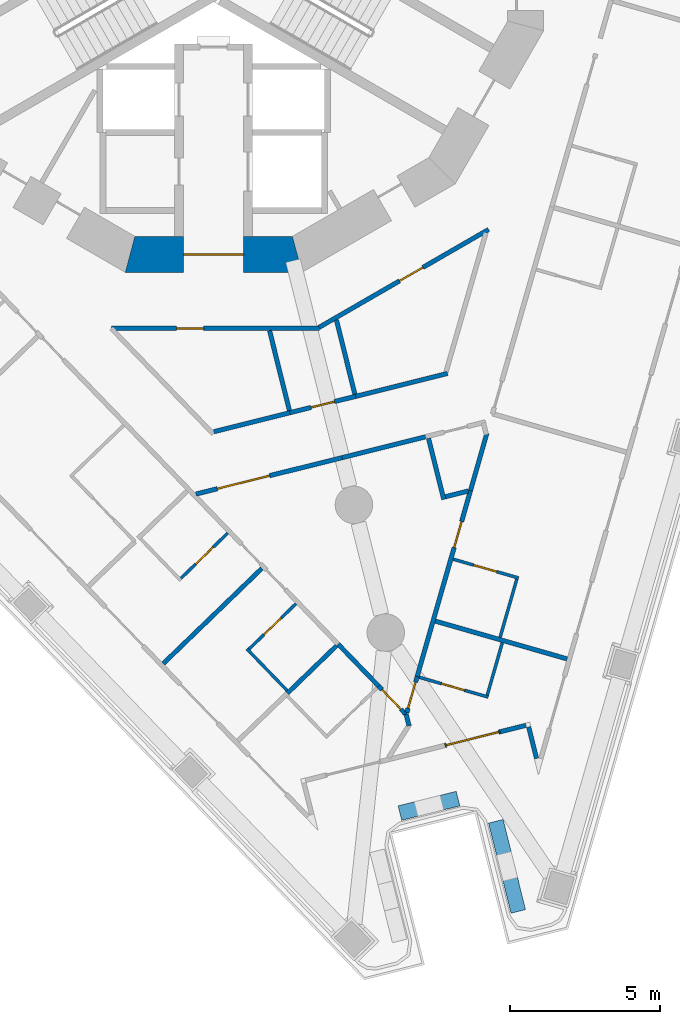
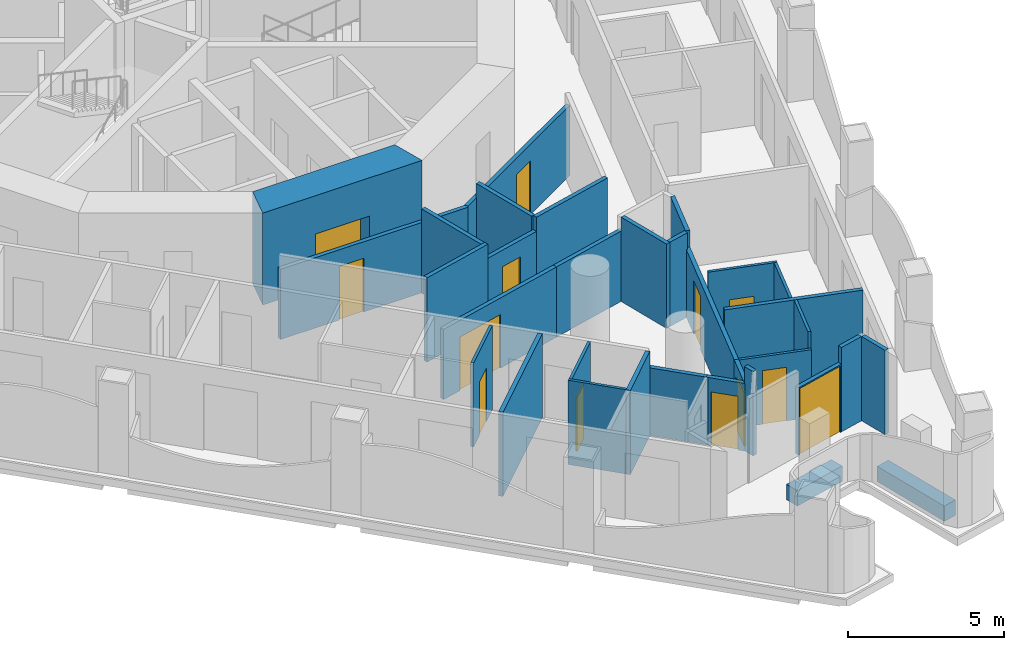
# One storey, part 4 of 20: 33 walls, 13 doors, 13 openings.
"""IFC4 building model written with IfcOpenShell, lengths in metres."""

from ifc_helpers import new_model, si_unit, direction, frame, frame_2d, origin, place, context, subcontext, project, spatial, polyline, rectangle, outline, extrude, material, layer, layer_set, type_object, element, fill, save


model = new_model("IFC4")

# Units and contexts
model_context = context("Model", 3, precision=1e-05, world=origin(), true_north=direction((0.0, 1.0)))
body_context = subcontext(model_context, "Body", "Model", "MODEL_VIEW")
ifc_project = project(units=[si_unit("LENGTHUNIT", "METRE"), si_unit("AREAUNIT", "SQUARE_METRE"), si_unit("VOLUMEUNIT", "CUBIC_METRE"), si_unit("PLANEANGLEUNIT", "RADIAN"), si_unit("MASSUNIT", "GRAM", prefix="KILO")], contexts=[model_context])

# Site, building, storey
site_placement = place(None, origin())
site = spatial("IfcSite", under=ifc_project, at=site_placement, CompositionType="ELEMENT")
building_placement = place(site_placement, origin())
building = spatial("IfcBuilding", under=site, at=building_placement, Name="Trine Commons Tower", CompositionType="ELEMENT")
storey_placement = place(building_placement, frame((0.0, 0.0, 112.5)))
storey = spatial("IfcBuildingStorey", under=building, at=storey_placement, Name="L28", CompositionType="ELEMENT", Elevation=112.5)

# Walls
ifc_material_1 = material(Name="Aluminium-framed insulated wall panel", Category="aluminium")
ifc_layer_1 = layer(ifc_material_1, 0.14990234375)
ifc_layer_set_1 = layer_set([ifc_layer_1], Name="Aluminium-framed insulated wall panel")
wall_type_1 = type_object("IfcWallType", Name="Glazed frame wall 150, EI 60", PredefinedType="SOLIDWALL", material=ifc_layer_set_1)
wall_1_placement = place(storey_placement, frame((90.810302734375, 35.118896484375, 0.0), z_axis=(0.0, 0.0, 1.0), x_axis=(-0.241937701072, 0.970291785393, 0.0)))
element("IfcWall", 1, at=wall_1_placement, inside=storey, type_object=wall_type_1, Name="Glazed frame wall R9", PredefinedType="SOLIDWALL", context=body_context, shape_type="SweptSolid", body=[
    extrude(outline(polyline([(0.1494140625, 0.074951171875), (0.1494140625, -0.074951171875), (1.235107421875, -0.074951171875), (1.235107421875, 0.074951171875), (0.1494140625, 0.074951171875)])), origin(), (0.0, 0.0, 1.0), 3.300048828125),
])
wall_2_placement = place(storey_placement, frame((90.527099609375, 36.398681640625, 0.0), z_axis=(0.0, 0.0, 1.0), x_axis=(-0.970285952705, -0.24196109188, 0.0)))
element("IfcWall", 2, at=wall_2_placement, inside=storey, type_object=wall_type_1, Name="Glazed frame wall P3.1", PredefinedType="SOLIDWALL", context=body_context, shape_type="SweptSolid", body=[
    extrude(outline(polyline([(0.110107421875, -0.074951171875), (1.0, -0.074951171875), (1.0, 0.074951171875), (0.110107421875, 0.074951171875), (0.110107421875, -0.074951171875)])), origin(), (0.0, 0.0, 1.0), 3.300048828125),
])

# Wall, opening, door
wall_3_placement = place(storey_placement, frame((89.556884765625, 36.15673828125, 0.0), z_axis=(0.0, 0.0, 1.0), x_axis=(-0.970285945114, -0.241961122321, 0.0)))
wall_3 = element("IfcWall", 3, at=wall_3_placement, inside=storey, type_object=wall_type_1, Name="Glazed frame wall P3.2", PredefinedType="SOLIDWALL", context=body_context, shape_type="SweptSolid", body=[
    extrude(outline(polyline([(0.0, -0.074951171875), (1.89990234375, -0.074951171875), (1.89990234375, 0.074951171875), (0.0, 0.074951171875), (0.0, -0.074951171875)])), origin(), (0.0, 0.0, 1.0), 2.64990234375),
])
opening_1_placement = place(wall_3_placement, frame((0.050048828125, 0.0, 0.0)))
opening_1 = element("IfcOpeningElement", 4, at=opening_1_placement, cuts=wall_3, Name="Opening BD-3P3-01", PredefinedType="OPENING", context=body_context, shape_type="SweptSolid", body=[
    extrude(rectangle(XDim=1.800048828125, YDim=2.60009765625, at=frame_2d((0.89990234375, 1.300048828125))), frame((0.0, 0.0849609375, 0.0), z_axis=(0.0, -1.0, 0.0), x_axis=(1.0, 0.0, 0.0)), (0.0, 0.0, 1.0), 0.169921875),
])
ifc_material_2 = material(Name="Anodised aluminium frame with double glazing", Category="aluminium")
door_type_1 = type_object("IfcDoorType", Name="Sliding loggia door 1800x2600", OperationType="SLIDING_TO_LEFT", PredefinedType="DOOR", material=ifc_material_2)
door_1_placement = place(opening_1_placement, origin())
door_1 = element("IfcDoor", 5, at=door_1_placement, inside=storey, type_object=door_type_1, Name="Loggia door P3 1", OperationType="SLIDING_TO_LEFT", OverallHeight=2.60009765625, OverallWidth=1.800048828125, PredefinedType="DOOR", context=body_context, shape_type="SweptSolid", body=[
    extrude(rectangle(XDim=1.800048828125, YDim=2.60009765625, at=frame_2d((0.89990234375, 1.300048828125))), frame((0.0, 0.02490234375, 0.0), z_axis=(0.0, -1.0, 0.0), x_axis=(1.0, 0.0, 0.0)), (0.0, 0.0, 1.0), 0.050048828125),
])
fill(opening_1, door_1)

# Walls
ifc_material_3 = material(Name="Planter trough, precast concrete C40/50", Category="concrete")
ifc_layer_2 = layer(ifc_material_3, 0.5)
ifc_layer_set_2 = layer_set([ifc_layer_2], Name="Planter trough, precast concrete C40/50")
wall_type_2 = type_object("IfcWallType", Name="Planter trough 500x600", PredefinedType="PARAPET", material=ifc_layer_set_2)
wall_4_placement = place(storey_placement, frame((90.16552734375, 30.160888671875, 0.0), z_axis=(0.0, 0.0, 1.0), x_axis=(-0.2419425832, 0.970290568044, 0.0)))
element("IfcWall", 6, at=wall_4_placement, inside=storey, type_object=wall_type_2, Name="Planter 7", PredefinedType="PARAPET", context=body_context, shape_type="SweptSolid", body=[
    extrude(rectangle(XDim=3.099853515625, YDim=0.5, at=frame_2d((1.5498046875, 0.0))), origin(), (0.0, 0.0, 1.0), 0.60009765625),
])
wall_5_placement = place(storey_placement, frame((88.15478515625, 33.92626953125, 0.0), z_axis=(0.0, 0.0, 1.0), x_axis=(-0.970285952705, -0.24196109188, 0.0)))
element("IfcWall", 7, at=wall_5_placement, inside=storey, type_object=wall_type_2, Name="Planter 8", PredefinedType="PARAPET", context=body_context, shape_type="SweptSolid", body=[
    extrude(rectangle(XDim=1.999755859375, YDim=0.5, at=frame_2d((1.0, 0.0))), origin(), (0.0, 0.0, 1.0), 0.60009765625),
])

# Wall, opening, door
ifc_material_4 = material(Name="Concrete C70/85", Category="concrete")
ifc_layer_3 = layer(ifc_material_4, 1.199951171875)
ifc_layer_set_3 = layer_set([ifc_layer_3], Name="Concrete C70/85")
wall_type_3 = type_object("IfcWallType", Name="RC shear wall 1200 mm, C70/85", PredefinedType="SHEAR", material=ifc_layer_set_3)
wall_6_placement = place(storey_placement, frame((77.049560546875, 52.08837890625, 0.0), z_axis=(0.0, 0.0, 1.0), x_axis=(1.0, 0.0, 0.0)))
wall_6 = element("IfcWall", 8, at=wall_6_placement, inside=storey, type_object=wall_type_3, Name="Core wall CWC-10 L28", PredefinedType="SHEAR", context=body_context, shape_type="SweptSolid", body=[
    extrude(outline(polyline([(0.0, -0.60009765625), (5.90087890625, -0.60009765625), (5.57958984375, 0.60009765625), (0.321533203125, 0.60009765625), (0.0, -0.60009765625)])), origin(), (0.0, 0.0, 1.0), 3.60009765625),
])
opening_2_placement = place(wall_6_placement, frame((1.950439453125, 0.0, 0.0)))
opening_2 = element("IfcOpeningElement", 9, at=opening_2_placement, cuts=wall_6, Name="Opening K07.08", PredefinedType="OPENING", context=body_context, shape_type="SweptSolid", body=[
    extrude(rectangle(XDim=2.0, YDim=2.10009765625, at=frame_2d((1.0, 1.050048828125))), frame((0.0, 0.60986328125, 0.0), z_axis=(0.0, -1.0, 0.0), x_axis=(1.0, 0.0, 0.0)), (0.0, 0.0, 1.0), 1.219970703125),
])
ifc_material_5 = material(Name="Steel door leaves, fire-rated", Category="steel")
door_type_2 = type_object("IfcDoorType", Name="Lobby door, double leaf 2000 x 2100, FD60", OperationType="DOUBLE_DOOR_SINGLE_SWING", PredefinedType="DOOR", material=ifc_material_5)
door_2_placement = place(opening_2_placement, origin())
door_2 = element("IfcDoor", 10, at=door_2_placement, inside=storey, type_object=door_type_2, Name="Lobby door, Service and firefighting lobby L28", OperationType="DOUBLE_DOOR_SINGLE_SWING", OverallHeight=2.10009765625, OverallWidth=2.0, PredefinedType="DOOR", context=body_context, shape_type="SweptSolid", body=[
    extrude(rectangle(XDim=2.0, YDim=2.10009765625, at=frame_2d((1.0, 1.050048828125))), frame((0.0, 0.02490234375, 0.0), z_axis=(0.0, -1.0, 0.0), x_axis=(1.0, 0.0, 0.0)), (0.0, 0.0, 1.0), 0.050048828125),
])
fill(opening_2, door_2)

ifc_material_6 = material(Name="Gypsum plasterboard on steel stud", Category="steel")
ifc_layer_4 = layer(ifc_material_6, 0.14990234375)
ifc_layer_set_4 = layer_set([ifc_layer_4], Name="Gypsum plasterboard on steel stud")
wall_type_4 = type_object("IfcWallType", Name="Unit and corridor wall 150 mm, EI 60", PredefinedType="PARTITIONING", material=ifc_layer_set_4)
wall_7_placement = place(storey_placement, frame((76.583984375, 49.613037109375, 0.0), z_axis=(0.0, 0.0, 1.0), x_axis=(1.0, 0.0, 0.0)))
wall_7 = element("IfcWall", 11, at=wall_7_placement, inside=storey, type_object=wall_type_4, Name="Partition 060", PredefinedType="PARTITIONING", context=body_context, shape_type="SweptSolid", body=[
    extrude(rectangle(XDim=6.944091796875, YDim=0.14990234375, at=frame_2d((3.47216796875, 0.0))), origin(), (0.0, 0.0, 1.0), 2.75),
])
opening_3_placement = place(wall_7_placement, frame((2.18359375, 0.0, 0.0)))
opening_3 = element("IfcOpeningElement", 12, at=opening_3_placement, cuts=wall_7, Name="Opening D-3C38", PredefinedType="OPENING", context=body_context, shape_type="SweptSolid", body=[
    extrude(rectangle(XDim=0.89990234375, YDim=2.10009765625, at=frame_2d((0.449951171875, 1.050048828125))), frame((0.0, 0.0849609375, 0.0), z_axis=(0.0, -1.0, 0.0), x_axis=(1.0, 0.0, 0.0)), (0.0, 0.0, 1.0), 0.169921875),
])
ifc_material_7 = material(Name="Timber fire door set", Category="wood")
door_type_3 = type_object("IfcDoorType", Name="Service door 900 x 2100, FD30S", OperationType="NOTDEFINED", PredefinedType="DOOR", material=ifc_material_7)
door_3_placement = place(opening_3_placement, frame((0.89990234375, 0.0, 0.0), z_axis=(0.0, 0.0, 1.0), x_axis=(-1.0, 0.0, 0.0)))
door_3 = element("IfcDoor", 13, at=door_3_placement, inside=storey, type_object=door_type_3, Name="Door D-3C38", OperationType="SINGLE_SWING_RIGHT", OverallHeight=2.10009765625, OverallWidth=0.89990234375, PredefinedType="DOOR", context=body_context, shape_type="SweptSolid", body=[
    extrude(rectangle(XDim=0.89990234375, YDim=2.10009765625, at=frame_2d((0.449951171875, 1.050048828125))), frame((0.0, 0.02490234375, 0.0), z_axis=(0.0, -1.0, 0.0), x_axis=(1.0, 0.0, 0.0)), (0.0, 0.0, 1.0), 0.050048828125),
])
fill(opening_3, door_3)

# Wall
wall_8_placement = place(storey_placement, frame((78.31982421875, 38.430908203125, 0.0), z_axis=(0.0, 0.0, 1.0), x_axis=(0.719360056376, 0.694637394106, 0.0)))
element("IfcWall", 14, at=wall_8_placement, inside=storey, type_object=wall_type_4, Name="Partition 066", PredefinedType="PARTITIONING", context=body_context, shape_type="SweptSolid", body=[
    extrude(rectangle(XDim=4.572265625, YDim=0.14990234375, at=frame_2d((2.2861328125, 0.0))), origin(), (0.0, 0.0, 1.0), 3.300048828125),
])

# Wall, opening, door
wall_9_placement = place(storey_placement, frame((79.40869140625, 44.087158203125, 0.0), z_axis=(0.0, 0.0, 1.0), x_axis=(0.970285120957, 0.241964427241, 0.0)))
wall_9 = element("IfcWall", 15, at=wall_9_placement, inside=storey, type_object=wall_type_4, Name="Partition 069", PredefinedType="PARTITIONING", context=body_context, shape_type="SweptSolid", body=[
    extrude(rectangle(XDim=5.02880859375, YDim=0.14990234375, at=frame_2d((2.514404296875, 0.0))), origin(), (0.0, 0.0, 1.0), 2.75),
])
opening_4_placement = place(wall_9_placement, frame((0.735595703125, 0.0, 0.0)))
opening_4 = element("IfcOpeningElement", 16, at=opening_4_placement, cuts=wall_9, Name="Opening D-3C02", PredefinedType="OPENING", context=body_context, shape_type="SweptSolid", body=[
    extrude(rectangle(XDim=1.800048828125, YDim=2.10009765625, at=frame_2d((0.89990234375, 1.050048828125))), frame((0.0, 0.0849609375, 0.0), z_axis=(0.0, -1.0, 0.0), x_axis=(1.0, 0.0, 0.0)), (0.0, 0.0, 1.0), 0.169921875),
])
door_type_4 = type_object("IfcDoorType", Name="Cluster entrance door 1800 x 2100, double leaf, FD30S", OperationType="DOUBLE_DOOR_DOUBLE_SWING", PredefinedType="DOOR", material=ifc_material_7)
door_4_placement = place(opening_4_placement, frame((1.800048828125, 0.0, 0.0), z_axis=(0.0, 0.0, 1.0), x_axis=(-1.0, 0.0, 0.0)))
door_4 = element("IfcDoor", 17, at=door_4_placement, inside=storey, type_object=door_type_4, Name="Door D-3C02", OperationType="DOUBLE_DOOR_DOUBLE_SWING", OverallHeight=2.10009765625, OverallWidth=1.800048828125, PredefinedType="DOOR", context=body_context, shape_type="SweptSolid", body=[
    extrude(rectangle(XDim=1.800048828125, YDim=2.10009765625, at=frame_2d((0.89990234375, 1.050048828125))), frame((0.0, 0.02490234375, 0.0), z_axis=(0.0, -1.0, 0.0), x_axis=(1.0, 0.0, 0.0)), (0.0, 0.0, 1.0), 0.050048828125),
])
fill(opening_4, door_4)

# Walls
wall_10_placement = place(storey_placement, frame((80.005859375, 46.168212890625, 0.0), z_axis=(0.0, 0.0, 1.0), x_axis=(0.970307222534, 0.241875781957, 0.0)))
element("IfcWall", 18, at=wall_10_placement, inside=storey, type_object=wall_type_4, Name="Partition 070", PredefinedType="PARTITIONING", context=body_context, shape_type="SweptSolid", body=[
    extrude(rectangle(XDim=2.698974609375, YDim=0.14990234375, at=frame_2d((1.349609375, 0.0))), origin(), (0.0, 0.0, 1.0), 3.300048828125),
])
wall_11_placement = place(storey_placement, frame((81.864990234375, 49.540283203125, 0.0), z_axis=(0.0, 0.0, 1.0), x_axis=(0.24199191412, -0.970278266015, 0.0)))
element("IfcWall", 19, at=wall_11_placement, inside=storey, type_object=wall_type_4, Name="Partition 077", PredefinedType="PARTITIONING", context=body_context, shape_type="SweptSolid", body=[
    extrude(rectangle(XDim=2.7470703125, YDim=0.14990234375, at=frame_2d((1.37353515625, 0.0))), origin(), (0.0, 0.0, 1.0), 3.300048828125),
])
wall_12_placement = place(storey_placement, frame((82.4619140625, 37.4423828125, 0.0), z_axis=(0.0, 0.0, 1.0), x_axis=(0.719213164188, 0.694789482116, 0.0)))
element("IfcWall", 20, at=wall_12_placement, inside=storey, type_object=wall_type_4, Name="Partition 079", PredefinedType="PARTITIONING", context=body_context, shape_type="SweptSolid", body=[
    extrude(rectangle(XDim=2.279052734375, YDim=0.14990234375, at=frame_2d((1.1396484375, 0.0))), origin(), (0.0, 0.0, 1.0), 3.300048828125),
])

# Wall, opening, door
wall_13_placement = place(storey_placement, frame((82.5439453125, 46.801025390625, 0.0), z_axis=(0.0, 0.0, 1.0), x_axis=(0.970237811433, 0.242154061015, 0.0)))
wall_13 = element("IfcWall", 21, at=wall_13_placement, inside=storey, type_object=wall_type_4, Name="Partition 080", PredefinedType="PARTITIONING", context=body_context, shape_type="SweptSolid", body=[
    extrude(rectangle(XDim=2.25830078125, YDim=0.14990234375, at=frame_2d((1.129150390625, 0.0))), origin(), (0.0, 0.0, 1.0), 2.75),
])
opening_5_placement = place(wall_13_placement, frame((0.72900390625, 0.0, 0.0)))
opening_5 = element("IfcOpeningElement", 22, at=opening_5_placement, cuts=wall_13, Name="Opening D-3C41", PredefinedType="OPENING", context=body_context, shape_type="SweptSolid", body=[
    extrude(rectangle(XDim=0.800048828125, YDim=2.10009765625, at=frame_2d((0.39990234375, 1.050048828125))), frame((0.0, 0.0849609375, 0.0), z_axis=(0.0, -1.0, 0.0), x_axis=(1.0, 0.0, 0.0)), (0.0, 0.0, 1.0), 0.169921875),
])
ifc_material_8 = material(Name="Painted timber", Category="wood")
door_type_5 = type_object("IfcDoorType", Name="Toilet door 800 x 2100, NOT RATED", OperationType="NOTDEFINED", PredefinedType="DOOR", material=ifc_material_8)
door_5_placement = place(opening_5_placement, origin())
door_5 = element("IfcDoor", 23, at=door_5_placement, inside=storey, type_object=door_type_5, Name="Door D-3C41", OperationType="SINGLE_SWING_RIGHT", OverallHeight=2.10009765625, OverallWidth=0.800048828125, PredefinedType="DOOR", context=body_context, shape_type="SweptSolid", body=[
    extrude(rectangle(XDim=0.800048828125, YDim=2.10009765625, at=frame_2d((0.39990234375, 1.050048828125))), frame((0.0, 0.02490234375, 0.0), z_axis=(0.0, -1.0, 0.0), x_axis=(1.0, 0.0, 0.0)), (0.0, 0.0, 1.0), 0.050048828125),
])
fill(opening_5, door_5)

wall_14_placement = place(storey_placement, frame((83.51806640625, 49.650390625, 0.0), z_axis=(0.0, 0.0, 1.0), x_axis=(0.866021893259, 0.50000608036, 0.0)))
wall_14 = element("IfcWall", 24, at=wall_14_placement, inside=storey, type_object=wall_type_4, Name="Partition 081", PredefinedType="PARTITIONING", context=body_context, shape_type="SweptSolid", body=[
    extrude(rectangle(XDim=6.5322265625, YDim=0.14990234375, at=frame_2d((3.26611328125, 0.0))), origin(), (0.0, 0.0, 1.0), 2.75),
])
opening_6_placement = place(wall_14_placement, frame((3.09912109375, 0.0, 0.0)))
opening_6 = element("IfcOpeningElement", 25, at=opening_6_placement, cuts=wall_14, Name="Opening D-3C36", PredefinedType="OPENING", context=body_context, shape_type="SweptSolid", body=[
    extrude(rectangle(XDim=0.89990234375, YDim=2.10009765625, at=frame_2d((0.449951171875, 1.050048828125))), frame((0.0, 0.0849609375, 0.0), z_axis=(0.0, -1.0, 0.0), x_axis=(1.0, 0.0, 0.0)), (0.0, 0.0, 1.0), 0.169921875),
])
door_6_placement = place(opening_6_placement, frame((0.89990234375, 0.0, 0.0), z_axis=(0.0, 0.0, 1.0), x_axis=(-1.0, 0.0, 0.0)))
door_6 = element("IfcDoor", 26, at=door_6_placement, inside=storey, type_object=door_type_3, Name="Door D-3C36", OperationType="SINGLE_SWING_LEFT", OverallHeight=2.10009765625, OverallWidth=0.89990234375, PredefinedType="DOOR", context=body_context, shape_type="SweptSolid", body=[
    extrude(rectangle(XDim=0.89990234375, YDim=2.10009765625, at=frame_2d((0.449951171875, 1.050048828125))), frame((0.0, 0.02490234375, 0.0), z_axis=(0.0, -1.0, 0.0), x_axis=(1.0, 0.0, 0.0)), (0.0, 0.0, 1.0), 0.050048828125),
])
fill(opening_6, door_6)

# Walls
wall_15_placement = place(storey_placement, frame((84.09521484375, 49.900146484375, 0.0), z_axis=(0.0, 0.0, 1.0), x_axis=(0.241659013466, -0.970361232331, 0.0)))
element("IfcWall", 27, at=wall_15_placement, inside=storey, type_object=wall_type_4, Name="Partition 086", PredefinedType="PARTITIONING", context=body_context, shape_type="SweptSolid", body=[
    extrude(rectangle(XDim=2.555908203125, YDim=0.14990234375, at=frame_2d((1.27783203125, 0.0))), origin(), (0.0, 0.0, 1.0), 3.300048828125),
])
wall_16_placement = place(storey_placement, frame((84.155029296875, 39.077880859375, 0.0), z_axis=(0.0, 0.0, 1.0), x_axis=(0.694942316006, -0.719065488967, 0.0)))
element("IfcWall", 28, at=wall_16_placement, inside=storey, type_object=wall_type_4, Name="Partition 088", PredefinedType="PARTITIONING", context=body_context, shape_type="SweptSolid", body=[
    extrude(rectangle(XDim=2.00390625, YDim=0.14990234375, at=frame_2d((1.001953125, 0.0))), origin(), (0.0, 0.0, 1.0), 2.64990234375),
])
wall_17_placement = place(storey_placement, frame((84.2880859375, 45.303955078125, 0.0), z_axis=(0.0, 0.0, 1.0), x_axis=(0.970312264522, 0.241855554658, 0.0)))
element("IfcWall", 29, at=wall_17_placement, inside=storey, type_object=wall_type_4, Name="Partition 089", PredefinedType="PARTITIONING", context=body_context, shape_type="SweptSolid", body=[
    extrude(rectangle(XDim=2.956787109375, YDim=0.14990234375, at=frame_2d((1.478515625, 0.0))), origin(), (0.0, 0.0, 1.0), 2.75),
])
wall_18_placement = place(storey_placement, frame((84.72705078125, 47.345947265625, 0.0), z_axis=(0.0, 0.0, 1.0), x_axis=(0.970300600618, 0.241902344841, 0.0)))
element("IfcWall", 30, at=wall_18_placement, inside=storey, type_object=wall_type_4, Name="Partition 090", PredefinedType="PARTITIONING", context=body_context, shape_type="SweptSolid", body=[
    extrude(rectangle(XDim=3.175048828125, YDim=0.14990234375, at=frame_2d((1.58740234375, 0.0))), origin(), (0.0, 0.0, 1.0), 3.300048828125),
])

# Wall, opening, door
wall_19_placement = place(storey_placement, frame((85.508056640625, 37.677978515625, 0.0), z_axis=(0.0, 0.0, 1.0), x_axis=(0.694528581719, -0.719465113244, 0.0)))
wall_19 = element("IfcWall", 31, at=wall_19_placement, inside=storey, type_object=wall_type_4, Name="Partition 091", PredefinedType="PARTITIONING", context=body_context, shape_type="SweptSolid", body=[
    extrude(rectangle(XDim=1.32177734375, YDim=0.14990234375, at=frame_2d((0.660888671875, 0.0))), origin(), (0.0, 0.0, 1.0), 2.64990234375),
])
opening_7_placement = place(wall_19_placement, frame((0.165283203125, 0.0, 0.0)))
opening_7 = element("IfcOpeningElement", 32, at=opening_7_placement, cuts=wall_19, Name="Opening D-3C25", PredefinedType="OPENING", context=body_context, shape_type="SweptSolid", body=[
    extrude(rectangle(XDim=0.89990234375, YDim=2.10009765625, at=frame_2d((0.449951171875, 1.050048828125))), frame((0.0, 0.0849609375, 0.0), z_axis=(0.0, -1.0, 0.0), x_axis=(1.0, 0.0, 0.0)), (0.0, 0.0, 1.0), 0.169921875),
])
door_type_6 = type_object("IfcDoorType", Name="Bedroom door 900 x 2100, FD30S", OperationType="NOTDEFINED", PredefinedType="DOOR", material=ifc_material_7)
door_7_placement = place(opening_7_placement, frame((0.89990234375, 0.0, 0.0), z_axis=(0.0, 0.0, 1.0), x_axis=(-1.0, 0.0, 0.0)))
door_7 = element("IfcDoor", 33, at=door_7_placement, inside=storey, type_object=door_type_6, Name="Door D-3C25", OperationType="SINGLE_SWING_RIGHT", OverallHeight=2.10009765625, OverallWidth=0.89990234375, PredefinedType="DOOR", context=body_context, shape_type="SweptSolid", body=[
    extrude(rectangle(XDim=0.89990234375, YDim=2.10009765625, at=frame_2d((0.449951171875, 1.050048828125))), frame((0.0, 0.02490234375, 0.0), z_axis=(0.0, -1.0, 0.0), x_axis=(1.0, 0.0, 0.0)), (0.0, 0.0, 1.0), 0.050048828125),
])
fill(opening_7, door_7)

# Wall
wall_20_placement = place(storey_placement, frame((86.422119140625, 36.7421875, 0.0), z_axis=(0.0, 0.0, 1.0), x_axis=(0.241673946692, -0.970357513234, 0.0)))
element("IfcWall", 34, at=wall_20_placement, inside=storey, type_object=wall_type_4, Name="Partition 093", PredefinedType="PARTITIONING", context=body_context, shape_type="SweptSolid", body=[
    extrude(rectangle(XDim=0.400146484375, YDim=0.14990234375, at=frame_2d((0.2001953125, 0.0))), origin(), (0.0, 0.0, 1.0), 3.300048828125),
])

# Wall, opening, door
wall_21_placement = place(storey_placement, frame((86.446533203125, 36.799072265625, 0.0), z_axis=(0.0, 0.0, 1.0), x_axis=(0.275419104485, 0.961324251689, 0.0)))
wall_21 = element("IfcWall", 35, at=wall_21_placement, inside=storey, type_object=wall_type_4, Name="Partition 094", PredefinedType="PARTITIONING", context=body_context, shape_type="SweptSolid", body=[
    extrude(rectangle(XDim=1.247314453125, YDim=0.14990234375, at=frame_2d((0.62353515625, 0.0))), origin(), (0.0, 0.0, 1.0), 2.64990234375),
])
opening_8_placement = place(wall_21_placement, frame((0.14990234375, 0.0, 0.0)))
opening_8 = element("IfcOpeningElement", 36, at=opening_8_placement, cuts=wall_21, Name="Opening D-3C24", PredefinedType="OPENING", context=body_context, shape_type="SweptSolid", body=[
    extrude(rectangle(XDim=0.89990234375, YDim=2.10009765625, at=frame_2d((0.449951171875, 1.050048828125))), frame((0.0, 0.0849609375, 0.0), z_axis=(0.0, -1.0, 0.0), x_axis=(1.0, 0.0, 0.0)), (0.0, 0.0, 1.0), 0.169921875),
])
door_8_placement = place(opening_8_placement, frame((0.89990234375, 0.0, 0.0), z_axis=(0.0, 0.0, 1.0), x_axis=(-1.0, 0.0, 0.0)))
door_8 = element("IfcDoor", 37, at=door_8_placement, inside=storey, type_object=door_type_6, Name="Door D-3C24", OperationType="SINGLE_SWING_RIGHT", OverallHeight=2.10009765625, OverallWidth=0.89990234375, PredefinedType="DOOR", context=body_context, shape_type="SweptSolid", body=[
    extrude(rectangle(XDim=0.89990234375, YDim=2.10009765625, at=frame_2d((0.449951171875, 1.050048828125))), frame((0.0, 0.02490234375, 0.0), z_axis=(0.0, -1.0, 0.0), x_axis=(1.0, 0.0, 0.0)), (0.0, 0.0, 1.0), 0.050048828125),
])
fill(opening_8, door_8)

wall_22_placement = place(storey_placement, frame((86.774169921875, 37.94189453125, 0.0), z_axis=(0.0, 0.0, 1.0), x_axis=(0.27569065488, 0.961246411079, 0.0)))
wall_22 = element("IfcWall", 38, at=wall_22_placement, inside=storey, type_object=wall_type_4, Name="Partition 095", PredefinedType="PARTITIONING", context=body_context, shape_type="SweptSolid", body=[
    extrude(rectangle(XDim=6.517822265625, YDim=0.14990234375, at=frame_2d((3.2587890625, 0.0))), origin(), (0.0, 0.0, 1.0), 2.64990234375),
])
opening_9_placement = place(wall_22_placement, frame((4.542724609375, 0.0, 0.0)))
opening_9 = element("IfcOpeningElement", 39, at=opening_9_placement, cuts=wall_22, Name="Opening D-3C23", PredefinedType="OPENING", context=body_context, shape_type="SweptSolid", body=[
    extrude(rectangle(XDim=0.89990234375, YDim=2.10009765625, at=frame_2d((0.449951171875, 1.050048828125))), frame((0.0, 0.0849609375, 0.0), z_axis=(0.0, -1.0, 0.0), x_axis=(1.0, 0.0, 0.0)), (0.0, 0.0, 1.0), 0.169921875),
])
door_9_placement = place(opening_9_placement, frame((0.89990234375, 0.0, 0.0), z_axis=(0.0, 0.0, 1.0), x_axis=(-1.0, 0.0, 0.0)))
door_9 = element("IfcDoor", 40, at=door_9_placement, inside=storey, type_object=door_type_6, Name="Door D-3C23", OperationType="SINGLE_SWING_LEFT", OverallHeight=2.10009765625, OverallWidth=0.89990234375, PredefinedType="DOOR", context=body_context, shape_type="SweptSolid", body=[
    extrude(rectangle(XDim=0.89990234375, YDim=2.10009765625, at=frame_2d((0.449951171875, 1.050048828125))), frame((0.0, 0.02490234375, 0.0), z_axis=(0.0, -1.0, 0.0), x_axis=(1.0, 0.0, 0.0)), (0.0, 0.0, 1.0), 0.050048828125),
])
fill(opening_9, door_9)

# Walls
wall_23_placement = place(storey_placement, frame((87.171142578125, 45.9453125, 0.0), z_axis=(0.0, 0.0, 1.0), x_axis=(0.241879199479, -0.970306370617, 0.0)))
element("IfcWall", 41, at=wall_23_placement, inside=storey, type_object=wall_type_4, Name="Partition 099", PredefinedType="PARTITIONING", context=body_context, shape_type="SweptSolid", body=[
    extrude(rectangle(XDim=2.100341796875, YDim=0.14990234375, at=frame_2d((1.05029296875, 0.0))), origin(), (0.0, 0.0, 1.0), 3.300048828125),
])
wall_24_placement = place(storey_placement, frame((87.399169921875, 39.847412109375, 0.0), z_axis=(0.0, 0.0, 1.0), x_axis=(0.961251469363, -0.275673017626, 0.0)))
element("IfcWall", 42, at=wall_24_placement, inside=storey, type_object=wall_type_4, Name="Partition 100", PredefinedType="PARTITIONING", context=body_context, shape_type="SweptSolid", body=[
    extrude(rectangle(XDim=4.572509765625, YDim=0.14990234375, at=frame_2d((2.2861328125, 0.0))), origin(), (0.0, 0.0, 1.0), 3.300048828125),
])
wall_25_placement = place(storey_placement, frame((87.73388671875, 43.998291015625, 0.0), z_axis=(0.0, 0.0, 1.0), x_axis=(0.970342701531, 0.241733410155, 0.0)))
element("IfcWall", 43, at=wall_25_placement, inside=storey, type_object=wall_type_4, Name="Partition 101", PredefinedType="PARTITIONING", context=body_context, shape_type="SweptSolid", body=[
    extrude(rectangle(XDim=0.787841796875, YDim=0.14990234375, at=frame_2d((0.39404296875, 0.0))), origin(), (0.0, 0.0, 1.0), 3.300048828125),
])
wall_26_placement = place(storey_placement, frame((88.571044921875, 44.20703125, 0.0), z_axis=(0.0, 0.0, 1.0), x_axis=(0.275350032507, 0.961344038104, 0.0)))
element("IfcWall", 44, at=wall_26_placement, inside=storey, type_object=wall_type_4, Name="Partition 105", PredefinedType="PARTITIONING", context=body_context, shape_type="SweptSolid", body=[
    extrude(rectangle(XDim=1.99951171875, YDim=0.14990234375, at=frame_2d((0.999755859375, 0.0))), origin(), (0.0, 0.0, 1.0), 3.300048828125),
])

# Wall, opening, door
ifc_layer_5 = layer(ifc_material_6, 0.10009765625)
ifc_layer_set_5 = layer_set([ifc_layer_5], Name="Gypsum plasterboard on steel stud")
wall_type_5 = type_object("IfcWallType", Name="Unit partition 100 mm, no rating", PredefinedType="PARTITIONING", material=ifc_layer_set_5)
wall_27_placement = place(storey_placement, frame((78.906005859375, 41.274658203125, 0.0), z_axis=(0.0, 0.0, 1.0), x_axis=(0.719343447932, 0.694654593245, 0.0)))
wall_27 = element("IfcWall", 45, at=wall_27_placement, inside=storey, type_object=wall_type_5, Name="Partition 068", PredefinedType="PARTITIONING", context=body_context, shape_type="SweptSolid", body=[
    extrude(rectangle(XDim=2.175537109375, YDim=0.10009765625, at=frame_2d((1.087890625, 0.0))), origin(), (0.0, 0.0, 1.0), 3.300048828125),
])
opening_10_placement = place(wall_27_placement, frame((0.687744140625, 0.0, 0.0)))
opening_10 = element("IfcOpeningElement", 46, at=opening_10_placement, cuts=wall_27, Name="Opening D-3C62", PredefinedType="OPENING", context=body_context, shape_type="SweptSolid", body=[
    extrude(rectangle(XDim=0.800048828125, YDim=2.10009765625, at=frame_2d((0.39990234375, 1.050048828125))), frame((0.0, 0.06005859375, 0.0), z_axis=(0.0, -1.0, 0.0), x_axis=(1.0, 0.0, 0.0)), (0.0, 0.0, 1.0), 0.1201171875),
])
door_type_7 = type_object("IfcDoorType", Name="Internal door 800 x 2100, NOT RATED", OperationType="NOTDEFINED", PredefinedType="DOOR", material=ifc_material_8)
door_10_placement = place(opening_10_placement, frame((0.800048828125, 0.0, 0.0), z_axis=(0.0, 0.0, 1.0), x_axis=(-1.0, 0.0, 0.0)))
door_10 = element("IfcDoor", 47, at=door_10_placement, inside=storey, type_object=door_type_7, Name="Door D-3C62", OperationType="SINGLE_SWING_RIGHT", OverallHeight=2.10009765625, OverallWidth=0.800048828125, PredefinedType="DOOR", context=body_context, shape_type="SweptSolid", body=[
    extrude(rectangle(XDim=0.800048828125, YDim=2.10009765625, at=frame_2d((0.39990234375, 1.050048828125))), frame((0.0, 0.02490234375, 0.0), z_axis=(0.0, -1.0, 0.0), x_axis=(1.0, 0.0, 0.0)), (0.0, 0.0, 1.0), 0.050048828125),
])
fill(opening_10, door_10)

# Wall
wall_28_placement = place(storey_placement, frame((81.111328125, 38.9189453125, 0.0), z_axis=(0.0, 0.0, 1.0), x_axis=(0.694700856484, -0.719298769636, 0.0)))
element("IfcWall", 48, at=wall_28_placement, inside=storey, type_object=wall_type_5, Name="Partition 073", PredefinedType="PARTITIONING", context=body_context, shape_type="SweptSolid", body=[
    extrude(rectangle(XDim=1.925537109375, YDim=0.10009765625, at=frame_2d((0.962890625, 0.0))), origin(), (0.0, 0.0, 1.0), 3.300048828125),
])

# Wall, opening, door
wall_29_placement = place(storey_placement, frame((81.181884765625, 38.917724609375, 0.0), z_axis=(0.0, 0.0, 1.0), x_axis=(0.719397593573, 0.69459851883, 0.0)))
wall_29 = element("IfcWall", 49, at=wall_29_placement, inside=storey, type_object=wall_type_5, Name="Partition 074", PredefinedType="PARTITIONING", context=body_context, shape_type="SweptSolid", body=[
    extrude(rectangle(XDim=2.17578125, YDim=0.10009765625, at=frame_2d((1.087890625, 0.0))), origin(), (0.0, 0.0, 1.0), 3.300048828125),
])
opening_11_placement = place(wall_29_placement, frame((0.687744140625, 0.0, 0.0)))
opening_11 = element("IfcOpeningElement", 50, at=opening_11_placement, cuts=wall_29, Name="Opening D-3C61", PredefinedType="OPENING", context=body_context, shape_type="SweptSolid", body=[
    extrude(rectangle(XDim=0.800048828125, YDim=2.10009765625, at=frame_2d((0.39990234375, 1.050048828125))), frame((0.0, 0.06005859375, 0.0), z_axis=(0.0, -1.0, 0.0), x_axis=(1.0, 0.0, 0.0)), (0.0, 0.0, 1.0), 0.1201171875),
])
door_11_placement = place(opening_11_placement, origin())
door_11 = element("IfcDoor", 51, at=door_11_placement, inside=storey, type_object=door_type_7, Name="Door D-3C61", OperationType="SINGLE_SWING_LEFT", OverallHeight=2.10009765625, OverallWidth=0.800048828125, PredefinedType="DOOR", context=body_context, shape_type="SweptSolid", body=[
    extrude(rectangle(XDim=0.800048828125, YDim=2.10009765625, at=frame_2d((0.39990234375, 1.050048828125))), frame((0.0, 0.02490234375, 0.0), z_axis=(0.0, -1.0, 0.0), x_axis=(1.0, 0.0, 0.0)), (0.0, 0.0, 1.0), 0.050048828125),
])
fill(opening_11, door_11)

wall_30_placement = place(storey_placement, frame((86.861083984375, 37.973388671875, 0.0), z_axis=(0.0, 0.0, 1.0), x_axis=(0.961254192868, -0.275663520789, 0.0)))
wall_30 = element("IfcWall", 52, at=wall_30_placement, inside=storey, type_object=wall_type_5, Name="Partition 096", PredefinedType="PARTITIONING", context=body_context, shape_type="SweptSolid", body=[
    extrude(rectangle(XDim=2.394775390625, YDim=0.10009765625, at=frame_2d((1.197265625, 0.0))), origin(), (0.0, 0.0, 1.0), 2.64990234375),
])
opening_12_placement = place(wall_30_placement, frame((0.772216796875, 0.0, 0.0)))
opening_12 = element("IfcOpeningElement", 53, at=opening_12_placement, cuts=wall_30, Name="Opening D-3C59", PredefinedType="OPENING", context=body_context, shape_type="SweptSolid", body=[
    extrude(rectangle(XDim=0.800048828125, YDim=2.10009765625, at=frame_2d((0.39990234375, 1.050048828125))), frame((0.0, 0.06005859375, 0.0), z_axis=(0.0, -1.0, 0.0), x_axis=(1.0, 0.0, 0.0)), (0.0, 0.0, 1.0), 0.1201171875),
])
door_12_placement = place(opening_12_placement, frame((0.800048828125, 0.0, 0.0), z_axis=(0.0, 0.0, 1.0), x_axis=(-1.0, 0.0, 0.0)))
door_12 = element("IfcDoor", 54, at=door_12_placement, inside=storey, type_object=door_type_7, Name="Door D-3C59", OperationType="SINGLE_SWING_RIGHT", OverallHeight=2.10009765625, OverallWidth=0.800048828125, PredefinedType="DOOR", context=body_context, shape_type="SweptSolid", body=[
    extrude(rectangle(XDim=0.800048828125, YDim=2.10009765625, at=frame_2d((0.39990234375, 1.050048828125))), frame((0.0, 0.02490234375, 0.0), z_axis=(0.0, -1.0, 0.0), x_axis=(1.0, 0.0, 0.0)), (0.0, 0.0, 1.0), 0.050048828125),
])
fill(opening_12, door_12)

wall_31_placement = place(storey_placement, frame((87.9912109375, 41.914306640625, 0.0), z_axis=(0.0, 0.0, 1.0), x_axis=(0.961244019441, -0.27569899363, 0.0)))
wall_31 = element("IfcWall", 55, at=wall_31_placement, inside=storey, type_object=wall_type_5, Name="Partition 104", PredefinedType="PARTITIONING", context=body_context, shape_type="SweptSolid", body=[
    extrude(rectangle(XDim=2.27490234375, YDim=0.10009765625, at=frame_2d((1.137451171875, 0.0))), origin(), (0.0, 0.0, 1.0), 3.300048828125),
])
opening_13_placement = place(wall_31_placement, frame((0.71240234375, 0.0, 0.0)))
opening_13 = element("IfcOpeningElement", 56, at=opening_13_placement, cuts=wall_31, Name="Opening D-3C58", PredefinedType="OPENING", context=body_context, shape_type="SweptSolid", body=[
    extrude(rectangle(XDim=0.800048828125, YDim=2.10009765625, at=frame_2d((0.39990234375, 1.050048828125))), frame((0.0, 0.06005859375, 0.0), z_axis=(0.0, -1.0, 0.0), x_axis=(1.0, 0.0, 0.0)), (0.0, 0.0, 1.0), 0.1201171875),
])
door_13_placement = place(opening_13_placement, origin())
door_13 = element("IfcDoor", 57, at=door_13_placement, inside=storey, type_object=door_type_7, Name="Door D-3C58", OperationType="SINGLE_SWING_LEFT", OverallHeight=2.10009765625, OverallWidth=0.800048828125, PredefinedType="DOOR", context=body_context, shape_type="SweptSolid", body=[
    extrude(rectangle(XDim=0.800048828125, YDim=2.10009765625, at=frame_2d((0.39990234375, 1.050048828125))), frame((0.0, 0.02490234375, 0.0), z_axis=(0.0, -1.0, 0.0), x_axis=(1.0, 0.0, 0.0)), (0.0, 0.0, 1.0), 0.050048828125),
])
fill(opening_13, door_13)

# Walls
wall_32_placement = place(storey_placement, frame((89.12890625, 37.375, 0.0), z_axis=(0.0, 0.0, 1.0), x_axis=(0.27588722246, 0.961190012684, 0.0)))
element("IfcWall", 58, at=wall_32_placement, inside=storey, type_object=wall_type_5, Name="Partition 109", PredefinedType="PARTITIONING", context=body_context, shape_type="SweptSolid", body=[
    extrude(rectangle(XDim=1.82470703125, YDim=0.10009765625, at=frame_2d((0.912353515625, 0.0))), origin(), (0.0, 0.0, 1.0), 3.300048828125),
])
wall_33_placement = place(storey_placement, frame((89.55859375, 39.30615234375, 0.0), z_axis=(0.0, 0.0, 1.0), x_axis=(0.275357985943, 0.96134176003, 0.0)))
element("IfcWall", 59, at=wall_33_placement, inside=storey, type_object=wall_type_5, Name="Partition 115", PredefinedType="PARTITIONING", context=body_context, shape_type="SweptSolid", body=[
    extrude(rectangle(XDim=2.025146484375, YDim=0.10009765625, at=frame_2d((1.0126953125, 0.0))), origin(), (0.0, 0.0, 1.0), 3.300048828125),
])

save(model, "model.ifc")
